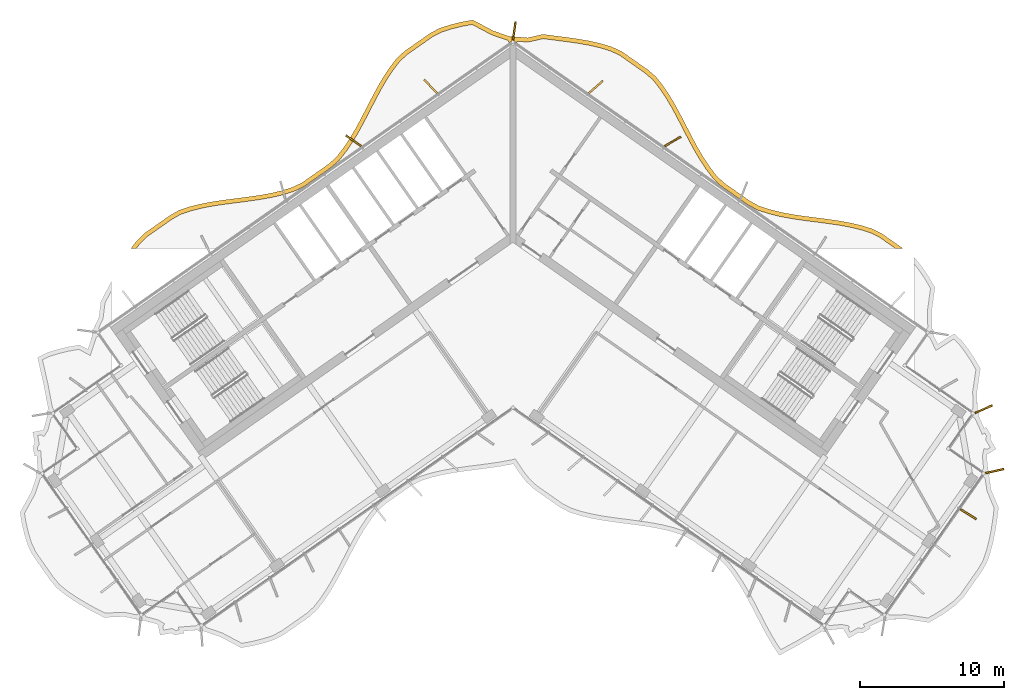
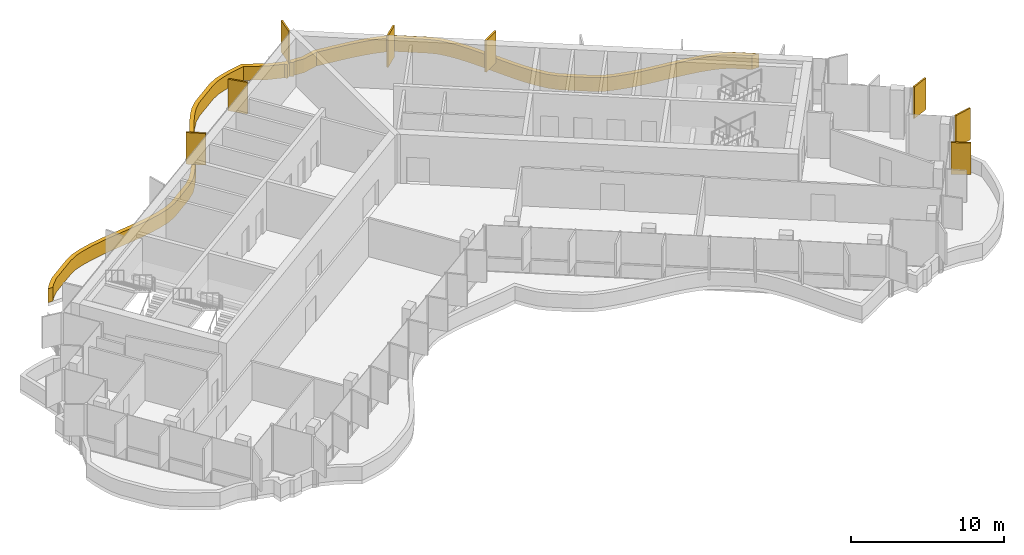
# One storey, part 19 of 19: 9 shading devices.
"""IFC4 building model written with IfcOpenShell, lengths in metres."""

from ifc_helpers import new_model, si_unit, direction, frame, origin, origin_2d, place, context, subcontext, project, spatial, polyline, rectangle, outline, extrude, material, layer, layer_set, type_object, element, save


model = new_model("IFC4")

# Units and contexts
model_context = context("Model", 3, precision=1e-05, world=origin(), true_north=direction((0.0, 1.0)))
body_context = subcontext(model_context, "Body", "Model", "MODEL_VIEW")
ifc_project = project(units=[si_unit("LENGTHUNIT", "METRE"), si_unit("AREAUNIT", "SQUARE_METRE"), si_unit("VOLUMEUNIT", "CUBIC_METRE"), si_unit("PLANEANGLEUNIT", "RADIAN"), si_unit("MASSUNIT", "GRAM", prefix="KILO")], contexts=[model_context])

# Site, building, storey
site_placement = place(None, origin())
site = spatial("IfcSite", under=ifc_project, at=site_placement, CompositionType="ELEMENT")
building_placement = place(site_placement, origin())
building = spatial("IfcBuilding", under=site, at=building_placement, Name="Tel Ilan Convention Tower", CompositionType="ELEMENT")
storey_placement = place(building_placement, frame((0.0, 0.0, 241.0)))
storey = spatial("IfcBuildingStorey", under=building, at=storey_placement, Name="L56", CompositionType="ELEMENT", Elevation=241.0)

# Shading devices
ifc_material_1 = material(Name="Aluminium, bronze anodised", Category="aluminium")
ifc_layer_1 = layer(ifc_material_1, 0.1201171875)
ifc_layer_set_1 = layer_set([ifc_layer_1], Name="FIN BRONZE 1300x120")
shading_device_type_1 = type_object("IfcShadingDeviceType", Name="FIN BRONZE 1300x120", PredefinedType="USERDEFINED", material=ifc_layer_set_1)
for number, where, z_axis, x_axis, name in (
    (1, (11.107666015625, 5.7900390625, 1.10009765625), (0.0, 0.0, 1.0), (0.866025403784, 0.5, 0.0), "FIN"),
    (2, (5.762939453125, 9.570068359375, 1.10009765625), (0.0, 0.0, 1.0), (0.753435896329, 0.657521368568, 0.0), "FIN"),
    (3, (0.09423828125, 13.469482421875, 1.10009765625), (0.0, 0.0, 1.0), (0.144931859301, 0.989441638582, 0.0), "FIN"),
    (4, (-5.716064453125, 9.61083984375, 1.10009765625), (0.0, 0.0, 1.0), (-0.686241637865, 0.727373641577, 0.0), "FIN"),
    (5, (-11.070556640625, 5.838623046875, 1.10009765625), (0.0, 0.0, 1.0), (-0.813552070258, 0.581492071294, 0.0), "FIN"),
    (6, (31.64306640625, -20.10400390625, 1.10009765625), (0.0, 0.0, 1.0), (0.845986425922, -0.533204432798, 0.0), "FIN"),
    (7, (33.476806640625, -17.113525390625, 1.10009765625), (0.0, 0.0, 1.0), (0.975235208752, 0.221170268371, 0.0), "FIN"),
    (8, (32.7119140625, -12.813720703125, 1.10009765625), (0.0, 0.0, 1.0), (0.914332505315, 0.404964282034, 0.0), "FIN"),
):
    element("IfcShadingDevice", number, at=place(storey_placement, frame(where, z_axis=z_axis, x_axis=x_axis)), inside=storey, type_object=shading_device_type_1, Name=name, ObjectType="FIN", PredefinedType="USERDEFINED", context=body_context, shape_type="SweptSolid", body=[
        extrude(rectangle(XDim=1.300048828125, YDim=0.1201171875, at=origin_2d()), origin(), (0.0, 0.0, 1.0), 2.52001953125),
    ])
ifc_material_2 = material(Name="Aluminium, bronze anodised", Category="aluminium")
ifc_layer_2 = layer(ifc_material_2, 0.300048828125)
ifc_layer_set_2 = layer_set([ifc_layer_2], Name="LOUVRE BAND 300x1100")
shading_device_type_2 = type_object("IfcShadingDeviceType", Name="LOUVRE BAND 300x1100", PredefinedType="USERDEFINED", material=ifc_layer_set_2)
shading_device_placement = place(storey_placement, origin())
element("IfcShadingDevice", 9, at=shading_device_placement, inside=storey, type_object=shading_device_type_2, Name="LOUVRE BAND 43.02", ObjectType="LOUVRE", PredefinedType="USERDEFINED", context=body_context, shape_type="SweptSolid", body=[
    extrude(outline(polyline([(-26.1787109375, -1.1572265625), (-26.535888671875, -1.631591796875), (-26.160400390625, -1.631591796875), (-25.951416015625, -1.35400390625), (-25.457275390625, -0.856689453125), (-23.680908203125, 0.38720703125), (-23.075439453125, 0.7314453125), (-22.38525390625, 0.962158203125), (-21.640625, 1.14990234375), (-20.86181640625, 1.298828125), (-20.0576171875, 1.420166015625), (-18.409423828125, 1.63232421875), (-17.585205078125, 1.750732421875), (-16.773193359375, 1.89599609375), (-15.982666015625, 2.081298828125), (-15.212646484375, 2.320556640625), (-14.499267578125, 2.665771484375), (-12.656005859375, 3.956298828125), (-12.066162109375, 4.474609375), (-11.566650390625, 5.110107421875), (-11.115234375, 5.78173828125), (-10.696044921875, 6.4892578125), (-10.29931640625, 7.220458984375), (-9.535400390625, 8.69873046875), (-9.148681640625, 9.41796875), (-8.746337890625, 10.106201171875), (-8.320556640625, 10.751220703125), (-7.871337890625, 11.33544921875), (-7.3623046875, 11.813720703125), (-5.585693359375, 13.0576171875), (-4.96826171875, 13.382568359375), (-4.27001953125, 13.607666015625), (-3.520751953125, 13.78955078125), (-2.834228515625, 13.914794921875), (-1.477294921875, 13.19677734375), (-0.362060546875, 12.81201171875), (-0.24609375, 12.646728515625), (0.0, 12.818115234375), (0.24609375, 12.646728515625), (0.318603515625, 12.75), (1.040771484375, 12.687744140625), (2.10400390625, 12.9296875), (3.699462890625, 12.72509765625), (4.510009765625, 12.60986328125), (5.2978515625, 12.47119140625), (6.054443359375, 12.297119140625), (6.765625, 12.080078125), (7.40185546875, 11.785888671875), (9.17822265625, 10.5419921875), (9.708740234375, 10.0908203125), (10.16162109375, 9.521240234375), (10.5927734375, 8.885498046875), (10.9990234375, 8.204833984375), (11.38818359375, 7.49072265625), (12.151123046875, 6.014404296875), (12.54443359375, 5.2802734375), (12.958740234375, 4.567138671875), (13.403076171875, 3.8876953125), (13.891357421875, 3.245849609375), (14.459716796875, 2.693359375), (16.302978515625, 1.40283203125), (16.991455078125, 1.02587890625), (17.759521484375, 0.773681640625), (18.544921875, 0.579345703125), (19.353271484375, 0.42724609375), (20.176025390625, 0.3046875), (21.826416015625, 0.092529296875), (22.634765625, -0.025146484375), (23.4189453125, -0.167724609375), (24.1708984375, -0.34716796875), (24.873291015625, -0.569580078125), (25.496826171875, -0.88427734375), (26.56396484375, -1.631591796875), (27.087158203125, -1.631591796875), (25.6513671875, -0.626220703125), (24.987060546875, -0.290771484375), (24.2509765625, -0.057861328125), (23.480712890625, 0.1259765625), (22.68310546875, 0.27099609375), (21.8671875, 0.3896484375), (20.21728515625, 0.601806640625), (19.4033203125, 0.72314453125), (18.60888671875, 0.87255859375), (17.842529296875, 1.062255859375), (17.111328125, 1.30224609375), (16.46142578125, 1.657958984375), (15.2548828125, 2.5029296875), (14.6513671875, 2.92529296875), (14.116455078125, 3.4453125), (13.648193359375, 4.060791015625), (13.214111328125, 4.724609375), (12.806396484375, 5.426513671875), (12.416748046875, 6.154052734375), (11.653076171875, 7.631591796875), (11.259521484375, 8.353515625), (10.845947265625, 9.046875), (10.403564453125, 9.69921875), (9.925537109375, 10.300537109375), (9.36181640625, 10.77978515625), (7.552001953125, 12.047119140625), (6.872802734375, 12.361083984375), (6.132080078125, 12.587158203125), (5.357666015625, 12.765380859375), (4.55712890625, 12.90625), (3.739501953125, 13.0224609375), (2.08935546875, 13.234130859375), (1.02001953125, 12.99072265625), (0.168701171875, 13.059326171875), (0.11474609375, 13.09521484375), (0.0, 13.1181640625), (-0.11474609375, 13.09521484375), (-0.168701171875, 13.059326171875), (-1.357666015625, 13.472900390625), (-2.785888671875, 14.228515625), (-3.5830078125, 14.083251953125), (-4.3515625, 13.896484375), (-5.0849609375, 13.66015625), (-5.7421875, 13.314453125), (-7.552001953125, 12.047119140625), (-8.09423828125, 11.53759765625), (-8.56494140625, 10.925537109375), (-9.001220703125, 10.264404296875), (-9.410400390625, 9.564697265625), (-9.801025390625, 8.838623046875), (-10.564453125, 7.36083984375), (-10.95703125, 6.63720703125), (-11.369140625, 5.94189453125), (-11.809326171875, 5.28662109375), (-12.284912109375, 4.681640625), (-12.841552734375, 4.192626953125), (-14.6513671875, 2.92529296875), (-15.3232421875, 2.6005859375), (-16.0615234375, 2.370849609375), (-16.833984375, 2.18994140625), (-17.6328125, 2.046875), (-18.44970703125, 1.9296875), (-20.099365234375, 1.71728515625), (-20.91259765625, 1.594482421875), (-21.705322265625, 1.44287109375), (-22.4697265625, 1.250244140625), (-23.1982421875, 1.0068359375), (-23.84130859375, 0.64111328125), (-25.6513671875, -0.626220703125), (-26.1787109375, -1.1572265625)])), origin(), (0.0, 0.0, 1.0), 1.10009765625),
])

save(model, "model.ifc")
